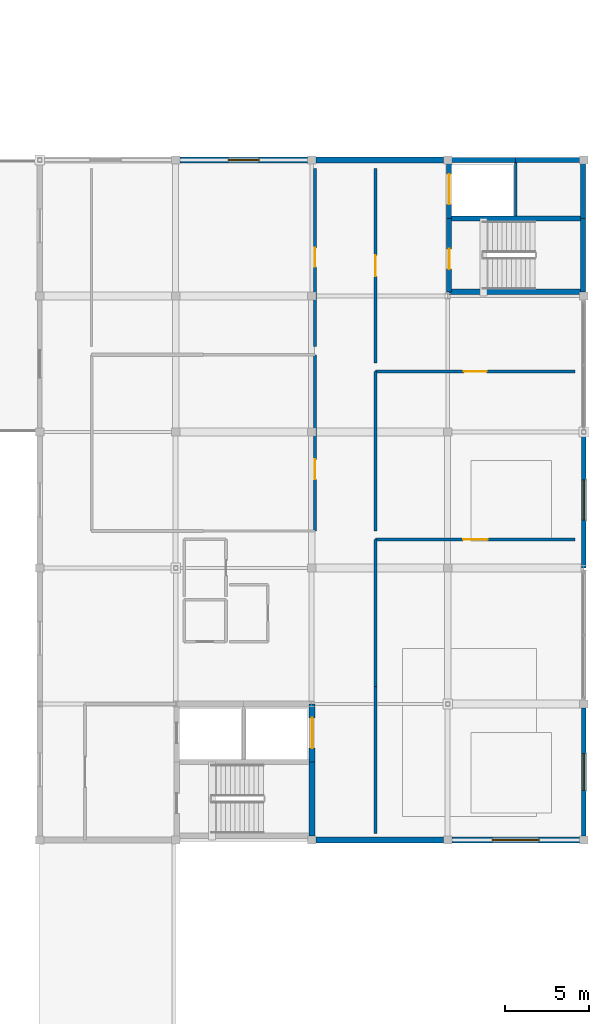
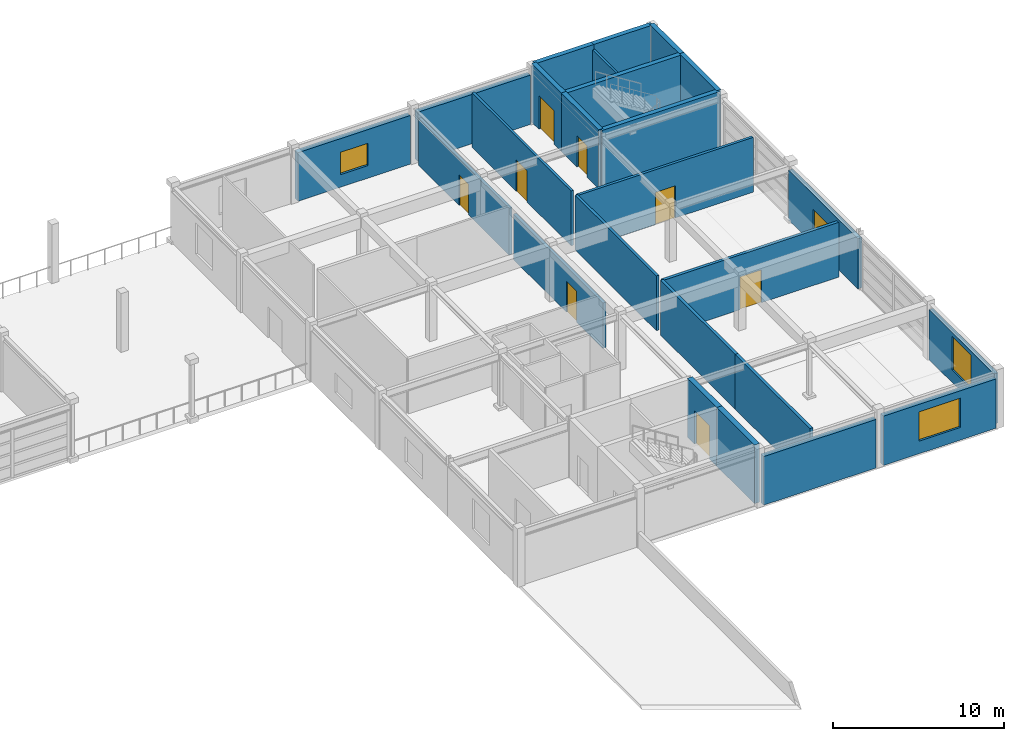
# One storey, part 45 of 54: 25 walls, 8 doors, 4 windows, 12 openings.
"""IFC4 building model written with IfcOpenShell, lengths in metres."""

import ifcopenshell
import ifcopenshell.guid

model = None  # the IFC model being written
_history = None  # IfcOwnerHistory: only IFC2X3 demands one
_inside = {}  # id of a spatial element -> (the spatial element, [elements in it])
_under = {}  # id of a project, library or spatial element -> (it, [spatial elements below it])
_declared = {}  # id of a project -> (the project, [libraries it declares])
_typed = {}  # id of a type object -> (the type object, [elements of that type])
_made_of = {}  # id of a material, layer set ... -> (it, [elements and type objects made of it])


def new_model(schema):
    """Start an empty IFC model of exactly this schema.

    Asked for "IFC4X3", IfcOpenShell would pick the latest addendum, in which some entities
    have other attributes; the version numbers below select the first issue.
    IFC2X3 requires an IfcOwnerHistory on every rooted entity: one is made here for all.
    """
    global model, _history
    if schema == "IFC4X3":
        model = ifcopenshell.file(schema_version=(4, 3, 0, 0))
    else:
        model = ifcopenshell.file(schema=schema)
    _inside.clear()
    _under.clear()
    _declared.clear()
    _typed.clear()
    _made_of.clear()
    _history = None
    if model.schema == "IFC2X3":
        org = make("IfcOrganization", Name="unknown")
        user = make(
            "IfcPersonAndOrganization",
            ThePerson=make("IfcPerson", FamilyName="unknown"),
            TheOrganization=org,
        )
        app = make(
            "IfcApplication",
            ApplicationDeveloper=org,
            Version="unknown",
            ApplicationFullName="unknown",
            ApplicationIdentifier="unknown",
        )
        _history = make(
            "IfcOwnerHistory",
            OwningUser=user,
            OwningApplication=app,
            ChangeAction="ADDED",
            CreationDate=0,
        )
    return model


def make(cls, **values):
    """One entity of the class cls with the attributes given. An attribute that is None is left unset."""
    return model.create_entity(
        cls, **{name: value for name, value in values.items() if value is not None}
    )


def rooted(cls, **values):
    """An entity with a GlobalId (a new one), such as an element, a storey or a relation."""
    return make(cls, GlobalId=ifcopenshell.guid.new(), OwnerHistory=_history, **values)


def si_unit(unit_type, name, prefix=None):
    """IfcSIUnit, for example si_unit("LENGTHUNIT", "METRE", prefix="MILLI")."""
    return make("IfcSIUnit", UnitType=unit_type, Prefix=prefix, Name=name)


def assignment(units):
    """IfcUnitAssignment: the units of a project."""
    return None if units is None else make("IfcUnitAssignment", Units=units)


def point(xyz):
    """IfcCartesianPoint."""
    return None if xyz is None else make("IfcCartesianPoint", Coordinates=xyz)


def direction(xyz):
    """IfcDirection."""
    return None if xyz is None else make("IfcDirection", DirectionRatios=xyz)


def frame(location, z_axis=None, x_axis=None):
    """IfcAxis2Placement3D, a coordinate frame: its origin and axes. An axis left out is left unset."""
    return make(
        "IfcAxis2Placement3D",
        Location=point(location),
        Axis=direction(z_axis),
        RefDirection=direction(x_axis),
    )


def frame_2d(location, x_axis=None):
    """IfcAxis2Placement2D, a coordinate frame in the plane: its origin and x axis."""
    return make(
        "IfcAxis2Placement2D", Location=point(location), RefDirection=direction(x_axis)
    )


def origin():
    """The frame at (0, 0, 0) with its axes left unset."""
    return frame((0.0, 0.0, 0.0))


def place(relative_to, where):
    """IfcLocalPlacement: puts the frame where relative to a parent placement (None: the world)."""
    return make(
        "IfcLocalPlacement", PlacementRelTo=relative_to, RelativePlacement=where
    )


def context(
    kind, dimensions, precision=None, world=None, true_north=None, identifier=None
):
    """IfcGeometricRepresentationContext, for example the 3D "Model" context."""
    return make(
        "IfcGeometricRepresentationContext",
        ContextIdentifier=identifier,
        ContextType=kind,
        CoordinateSpaceDimension=dimensions,
        Precision=precision,
        WorldCoordinateSystem=world,
        TrueNorth=true_north,
    )


def subcontext(parent, identifier, kind, view, scale=None):
    """IfcGeometricRepresentationSubContext, for example "Body" below "Model"."""
    return make(
        "IfcGeometricRepresentationSubContext",
        ContextIdentifier=identifier,
        ContextType=kind,
        ParentContext=parent,
        TargetScale=scale,
        TargetView=view,
    )


def project(units=None, contexts=None):
    """IfcProject with its units and contexts."""
    return rooted(
        "IfcProject",
        Name="project",
        RepresentationContexts=contexts,
        UnitsInContext=assignment(units),
    )


def spatial(cls, under=None, at=None, **own):
    """A site, building, storey or space (cls), placed at a placement, below another one or the project."""
    s = rooted(cls, ObjectPlacement=at, **own)
    if under is not None:
        _under.setdefault(under.id(), (under, []))[1].append(s)
    return s


def profile(cls, at=None, kind="AREA", **sizes):
    """A parametric profile (cls). Its sizes go by their IFC names, for example OverallWidth=200.0."""
    return make(cls, ProfileType=kind, Position=at, **sizes)


def rectangle(**sizes):
    """IfcRectangleProfileDef."""
    return profile("IfcRectangleProfileDef", **sizes)


def extrude(swept, where, along, depth):
    """IfcExtrudedAreaSolid: the profile swept, set in the frame where, extruded along a direction by depth."""
    return make(
        "IfcExtrudedAreaSolid",
        SweptArea=swept,
        Position=where,
        ExtrudedDirection=direction(along),
        Depth=depth,
    )


def shape(context_of_items, identifier, shape_type, items):
    """IfcShapeRepresentation: the items that make up one representation, for example the "Body"."""
    return make(
        "IfcShapeRepresentation",
        ContextOfItems=context_of_items,
        RepresentationIdentifier=identifier,
        RepresentationType=shape_type,
        Items=items,
    )


def material(Name=None, Category=None):
    """IfcMaterial."""
    return make("IfcMaterial", Name=Name, Category=Category)


def layer(
    of_material, thickness, ventilated=None, Name=None, Category=None, Priority=None
):
    """IfcMaterialLayer: one layer of a wall or slab, of a material (None: an air gap)."""
    return make(
        "IfcMaterialLayer",
        Material=of_material,
        LayerThickness=thickness,
        IsVentilated=ventilated,
        Name=Name,
        Category=Category,
        Priority=Priority,
    )


def layer_set(layers, Name=None):
    """IfcMaterialLayerSet."""
    return make("IfcMaterialLayerSet", MaterialLayers=layers, LayerSetName=Name)


def made_of(thing, what):
    """Note that an element or type object is made of a material, layer set ...; save() writes the relation."""
    if what is not None:
        _made_of.setdefault(what.id(), (what, []))[1].append(thing)
    return thing


def type_object(cls, material=None, **own):
    """A type object (cls), such as IfcWallType, which elements share."""
    return made_of(rooted(cls, **own), material)


def element(
    cls,
    number,
    at=None,
    inside=None,
    cuts=None,
    type_object=None,
    material=None,
    context=None,
    identifier="Body",
    shape_type=None,
    held_by="IfcProductDefinitionShape",
    body=None,
    shapes=None,
    **own,
):
    """One element of the class cls, such as IfcWall. Its Tag is "e" and its number.

    at: its placement. inside: the storey or other place that contains it. cuts: it is an
    opening in that element (IfcRelVoidsElement). A single representation is given by context,
    identifier, shape_type and body (its items); several are given by shapes. held_by: the class
    of the entity that holds the representations. save() writes the other relations.
    """
    e = rooted(cls, Tag="e%d" % number, ObjectPlacement=at, **own)
    if body is not None:
        shapes = [shape(context, identifier, shape_type, body)]
    if shapes is not None:
        e.Representation = make(held_by, Representations=shapes)
    if inside is not None:
        _inside.setdefault(inside.id(), (inside, []))[1].append(e)
    if cuts is not None:
        rooted(
            "IfcRelVoidsElement", RelatingBuildingElement=cuts, RelatedOpeningElement=e
        )
    if type_object is not None:
        _typed.setdefault(type_object.id(), (type_object, []))[1].append(e)
    return made_of(e, material)


def fill(opening, filler):
    """IfcRelFillsElement: the door or window that sits in an opening."""
    return rooted(
        "IfcRelFillsElement",
        RelatingOpeningElement=opening,
        RelatedBuildingElement=filler,
    )


def aggregate(whole, parts):
    """IfcRelAggregates: a whole, such as a stair, and the parts it consists of."""
    return rooted("IfcRelAggregates", RelatingObject=whole, RelatedObjects=parts)


def save(model, path):
    """Write the relations noted so far, then the file.

    IfcRelAggregates (storeys below a building ...), IfcRelContainedInSpatialStructure (elements
    in a storey), IfcRelDefinesByType, IfcRelAssociatesMaterial and IfcRelDeclares: one each for
    every whole, place, type object, material and project.
    """
    for whole, parts in _under.values():
        aggregate(whole, parts)
    for where, things in _inside.values():
        rooted(
            "IfcRelContainedInSpatialStructure",
            RelatedElements=things,
            RelatingStructure=where,
        )
    for kind, things in _typed.values():
        rooted("IfcRelDefinesByType", RelatedObjects=things, RelatingType=kind)
    for what, things in _made_of.values():
        rooted("IfcRelAssociatesMaterial", RelatedObjects=things, RelatingMaterial=what)
    for by, libraries in _declared.values():
        rooted("IfcRelDeclares", RelatingContext=by, RelatedDefinitions=libraries)
    model.write(path)


model = new_model("IFC4")

# Units and contexts
model_context = context("Model", 3, precision=1e-05, world=origin(), true_north=direction((0.0, 1.0)))
body_context = subcontext(model_context, "Body", "Model", "MODEL_VIEW")
ifc_project = project(units=[si_unit("LENGTHUNIT", "METRE"), si_unit("AREAUNIT", "SQUARE_METRE"), si_unit("VOLUMEUNIT", "CUBIC_METRE"), si_unit("PLANEANGLEUNIT", "RADIAN"), si_unit("MASSUNIT", "GRAM", prefix="KILO")], contexts=[model_context])

# Site, building, storey
site_placement = place(None, origin())
site = spatial("IfcSite", under=ifc_project, at=site_placement, CompositionType="ELEMENT")
building_placement = place(site_placement, origin())
building = spatial("IfcBuilding", under=site, at=building_placement, Name="Parian Resonance Hall", CompositionType="ELEMENT")
storey_placement = place(building_placement, frame((0.0, 0.0, 15.0)))
storey = spatial("IfcBuildingStorey", under=building, at=storey_placement, Name="L03", CompositionType="ELEMENT", Elevation=15.0)

# Wall, opening, door
ifc_material_1 = material(Name="Concrete C40/50", Category="concrete")
ifc_layer_1 = layer(ifc_material_1, 0.31005859375)
ifc_layer_set_1 = layer_set([ifc_layer_1], Name="Concrete C40/50")
wall_type_1 = type_object("IfcWallType", Name="CW310", PredefinedType="SHEAR", material=ifc_layer_set_1)
wall_1_placement = place(storey_placement, frame((137.7900390625, 81.25, 0.0), z_axis=(0.0, 0.0, 1.0), x_axis=(0.0, 1.0, 0.0)))
wall_1 = element("IfcWall", 1, at=wall_1_placement, inside=storey, type_object=wall_type_1, Name="Core K6 stairwell west shear wall L03", PredefinedType="SHEAR", context=body_context, shape_type="SweptSolid", body=[
    extrude(rectangle(XDim=4.360107421875, YDim=0.31005859375, at=frame_2d((2.18017578125, 0.0))), origin(), (0.0, 0.0, 1.0), 4.199951171875),
])
opening_1_placement = place(wall_1_placement, frame((1.35009765625, 0.0, 0.0)))
opening_1 = element("IfcOpeningElement", 2, at=opening_1_placement, cuts=wall_1, Name="Opening FD-01", PredefinedType="OPENING", context=body_context, shape_type="SweptSolid", body=[
    extrude(rectangle(XDim=1.199951171875, YDim=2.25, at=frame_2d((0.60009765625, 1.125))), frame((0.0, 0.1650390625, 0.0), z_axis=(0.0, -1.0, 0.0), x_axis=(1.0, 0.0, 0.0)), (0.0, 0.0, 1.0), 0.330078125),
])
ifc_material_2 = material(Name="Fire-rated acoustic steel and narra timber door", Category="steel")
door_type_1 = type_object("IfcDoorType", Name="FD-01", OperationType="NOTDEFINED", PredefinedType="DOOR", material=ifc_material_2)
door_1_placement = place(opening_1_placement, origin())
door_1 = element("IfcDoor", 3, at=door_1_placement, inside=storey, type_object=door_type_1, Name="Exit stair ST-06 fire door L03", OperationType="SINGLE_SWING_LEFT", OverallHeight=2.25, OverallWidth=1.199951171875, PredefinedType="DOOR", context=body_context, shape_type="SweptSolid", body=[
    extrude(rectangle(XDim=1.199951171875, YDim=2.25, at=frame_2d((0.60009765625, 1.125))), frame((0.0, 0.02490234375, 0.0), z_axis=(0.0, -1.0, 0.0), x_axis=(1.0, 0.0, 0.0)), (0.0, 0.0, 1.0), 0.050048828125),
])
fill(opening_1, door_1)

wall_2_placement = place(storey_placement, frame((137.7900390625, 85.610107421875, 0.0), z_axis=(0.0, 0.0, 1.0), x_axis=(0.0, 1.0, 0.0)))
wall_2 = element("IfcWall", 4, at=wall_2_placement, inside=storey, type_object=wall_type_1, Name="Core K6 lift shaft west shear wall L03", PredefinedType="SHEAR", context=body_context, shape_type="SweptSolid", body=[
    extrude(rectangle(XDim=3.489990234375, YDim=0.31005859375, at=frame_2d((1.7451171875, 0.0))), origin(), (0.0, 0.0, 1.0), 4.199951171875),
])
opening_2_placement = place(wall_2_placement, frame((0.844970703125, 0.0, 0.0)))
opening_2 = element("IfcOpeningElement", 5, at=opening_2_placement, cuts=wall_2, Name="Opening LD-02", PredefinedType="OPENING", context=body_context, shape_type="SweptSolid", body=[
    extrude(rectangle(XDim=1.800048828125, YDim=2.39990234375, at=frame_2d((0.89990234375, 1.199951171875))), frame((0.0, 0.1650390625, 0.0), z_axis=(0.0, -1.0, 0.0), x_axis=(1.0, 0.0, 0.0)), (0.0, 0.0, 1.0), 0.330078125),
])
ifc_material_3 = material(Name="Stainless steel and bronze elevator cab", Category="steel")
door_type_2 = type_object("IfcDoorType", Name="DOOR-LIFT-1800x2400", OperationType="SLIDING_TO_LEFT", PredefinedType="DOOR", material=ifc_material_3)
door_2_placement = place(opening_2_placement, origin())
door_2 = element("IfcDoor", 6, at=door_2_placement, inside=storey, type_object=door_type_2, Name="Lift LF-08 sliding landing door L03", OperationType="SLIDING_TO_LEFT", OverallHeight=2.39990234375, OverallWidth=1.800048828125, PredefinedType="DOOR", context=body_context, shape_type="SweptSolid", body=[
    extrude(rectangle(XDim=1.800048828125, YDim=2.39990234375, at=frame_2d((0.89990234375, 1.199951171875))), frame((0.0, 0.02490234375, 0.0), z_axis=(0.0, -1.0, 0.0), x_axis=(1.0, 0.0, 0.0)), (0.0, 0.0, 1.0), 0.050048828125),
])
fill(opening_2, door_2)

# Walls
wall_3_placement = place(storey_placement, frame((137.7900390625, 89.10009765625, 0.0), z_axis=(0.0, 0.0, 1.0), x_axis=(1.0, 0.0, 0.0)))
element("IfcWall", 7, at=wall_3_placement, inside=storey, type_object=wall_type_1, Name="Core K6 north-west shaft wall L03", PredefinedType="SHEAR", context=body_context, shape_type="SweptSolid", body=[
    extrude(rectangle(XDim=3.9599609375, YDim=0.31005859375, at=frame_2d((1.97998046875, 0.0))), origin(), (0.0, 0.0, 1.0), 4.199951171875),
])
wall_4_placement = place(storey_placement, frame((141.75, 89.10009765625, 0.0), z_axis=(0.0, 0.0, 1.0), x_axis=(1.0, 0.0, 0.0)))
element("IfcWall", 8, at=wall_4_placement, inside=storey, type_object=wall_type_1, Name="Core K6 north-east shaft wall L03", PredefinedType="SHEAR", context=body_context, shape_type="SweptSolid", body=[
    extrude(rectangle(XDim=4.02001953125, YDim=0.31005859375, at=frame_2d((2.010009765625, 0.0))), origin(), (0.0, 0.0, 1.0), 4.199951171875),
])
wall_5_placement = place(storey_placement, frame((145.77001953125, 89.10009765625, 0.0), z_axis=(0.0, 0.0, 1.0), x_axis=(0.0, -1.0, 0.0)))
element("IfcWall", 9, at=wall_5_placement, inside=storey, type_object=wall_type_1, Name="Core K6 east shaft wall L03", PredefinedType="SHEAR", context=body_context, shape_type="SweptSolid", body=[
    extrude(rectangle(XDim=3.489990234375, YDim=0.31005859375, at=frame_2d((1.7451171875, 0.0))), origin(), (0.0, 0.0, 1.0), 4.199951171875),
])
wall_6_placement = place(storey_placement, frame((145.77001953125, 85.610107421875, 0.0), z_axis=(0.0, 0.0, 1.0), x_axis=(0.0, -1.0, 0.0)))
element("IfcWall", 10, at=wall_6_placement, inside=storey, type_object=wall_type_1, Name="Core K6 stairwell east wall L03", PredefinedType="SHEAR", context=body_context, shape_type="SweptSolid", body=[
    extrude(rectangle(XDim=4.360107421875, YDim=0.31005859375, at=frame_2d((2.18017578125, 0.0))), origin(), (0.0, 0.0, 1.0), 4.199951171875),
])
for number, where, z_axis, x_axis, name in (
    (11, (145.77001953125, 81.25, 0.0), (0.0, 0.0, 1.0), (-1.0, 0.0, 0.0), "Core K6 stairwell south wall L03"),
    (12, (137.7900390625, 85.610107421875, 0.0), (0.0, 0.0, 1.0), (1.0, 0.0, 0.0), "Core K6 stair-lift divider wall L03"),
):
    element("IfcWall", number, at=place(storey_placement, frame(where, z_axis=z_axis, x_axis=x_axis)), inside=storey, type_object=wall_type_1, Name=name, PredefinedType="SHEAR", context=body_context, shape_type="SweptSolid", body=[
        extrude(rectangle(XDim=7.97998046875, YDim=0.31005859375, at=frame_2d((3.989990234375, 0.0))), origin(), (0.0, 0.0, 1.0), 4.199951171875),
    ])

# Wall, opening, door
ifc_material_4 = material(Name="Concrete C40/50", Category="concrete")
ifc_layer_2 = layer(ifc_material_4, 0.35009765625)
ifc_layer_set_2 = layer_set([ifc_layer_2], Name="Concrete C40/50")
wall_type_2 = type_object("IfcWallType", Name="CW350", PredefinedType="SHEAR", material=ifc_layer_set_2)
wall_7_placement = place(storey_placement, frame((129.6298828125, 56.699951171875, 0.0), z_axis=(0.0, 0.0, 1.0), x_axis=(0.0, -1.0, 0.0)))
wall_7 = element("IfcWall", 13, at=wall_7_placement, inside=storey, type_object=wall_type_2, Name="Core K2 east shaft wall L03", PredefinedType="SHEAR", context=body_context, shape_type="SweptSolid", body=[
    extrude(rectangle(XDim=3.449951171875, YDim=0.35009765625, at=frame_2d((1.72509765625, 0.0))), origin(), (0.0, 0.0, 1.0), 4.199951171875),
])
opening_3_placement = place(wall_7_placement, frame((0.824951171875, 0.0, 0.0)))
opening_3 = element("IfcOpeningElement", 14, at=opening_3_placement, cuts=wall_7, Name="Opening LD-02", PredefinedType="OPENING", context=body_context, shape_type="SweptSolid", body=[
    extrude(rectangle(XDim=1.800048828125, YDim=2.39990234375, at=frame_2d((0.89990234375, 1.199951171875))), frame((0.0, 0.18505859375, 0.0), z_axis=(0.0, -1.0, 0.0), x_axis=(1.0, 0.0, 0.0)), (0.0, 0.0, 1.0), 0.3701171875),
])
door_3_placement = place(opening_3_placement, origin())
door_3 = element("IfcDoor", 15, at=door_3_placement, inside=storey, type_object=door_type_2, Name="Lift LF-07 sliding landing door L03", OperationType="SLIDING_TO_LEFT", OverallHeight=2.39990234375, OverallWidth=1.800048828125, PredefinedType="DOOR", context=body_context, shape_type="SweptSolid", body=[
    extrude(rectangle(XDim=1.800048828125, YDim=2.39990234375, at=frame_2d((0.89990234375, 1.199951171875))), frame((0.0, 0.02490234375, 0.0), z_axis=(0.0, -1.0, 0.0), x_axis=(1.0, 0.0, 0.0)), (0.0, 0.0, 1.0), 0.050048828125),
])
fill(opening_3, door_3)

# Walls
wall_8_placement = place(storey_placement, frame((129.6298828125, 53.25, 0.0), z_axis=(0.0, 0.0, 1.0), x_axis=(0.0, -1.0, 0.0)))
element("IfcWall", 16, at=wall_8_placement, inside=storey, type_object=wall_type_2, Name="Core K2 stairwell east wall L03", PredefinedType="SHEAR", context=body_context, shape_type="SweptSolid", body=[
    extrude(rectangle(XDim=4.419921875, YDim=0.35009765625, at=frame_2d((2.2099609375, 0.0))), origin(), (0.0, 0.0, 1.0), 4.199951171875),
])
ifc_material_5 = material(Name="Concrete C35/45 with Carcar coral-limestone ashlar", Category="masonry")
ifc_layer_3 = layer(ifc_material_5, 0.340087890625)
ifc_layer_set_3 = layer_set([ifc_layer_3], Name="Concrete C35/45 with Carcar coral-limestone ashlar")
wall_type_3 = type_object("IfcWallType", Name="EW-STONE-340", PredefinedType="SOLIDWALL", material=ifc_layer_set_3)
wall_9_placement = place(storey_placement, frame((137.449951171875, 89.10009765625, 0.0), z_axis=(0.0, 0.0, 1.0), x_axis=(-1.0, 0.0, 0.0)))
element("IfcWall", 17, at=wall_9_placement, inside=storey, type_object=wall_type_3, Name="Perimeter closure wall L03", PredefinedType="SOLIDWALL", context=body_context, shape_type="SweptSolid", body=[
    extrude(rectangle(XDim=7.599853515625, YDim=0.340087890625, at=frame_2d((3.7998046875, 0.0))), origin(), (0.0, 0.0, 1.0), 3.527099609375),
])

# Wall, opening, window
wall_10_placement = place(storey_placement, frame((129.35009765625, 89.10009765625, 0.0), z_axis=(0.0, 0.0, 1.0), x_axis=(-1.0, 0.0, 0.0)))
wall_10 = element("IfcWall", 18, at=wall_10_placement, inside=storey, type_object=wall_type_3, Name="Perimeter closure wall L03", PredefinedType="SOLIDWALL", context=body_context, shape_type="SweptSolid", body=[
    extrude(rectangle(XDim=7.60009765625, YDim=0.340087890625, at=frame_2d((3.800048828125, 0.0))), origin(), (0.0, 0.0, 1.0), 3.47509765625),
])
opening_4_placement = place(wall_10_placement, frame((2.875, 0.0, 0.89990234375)))
opening_4 = element("IfcOpeningElement", 19, at=opening_4_placement, cuts=wall_10, Name="Opening WN-33", PredefinedType="OPENING", context=body_context, shape_type="SweptSolid", body=[
    extrude(rectangle(XDim=1.85009765625, YDim=1.60009765625, at=frame_2d((0.925048828125, 0.800048828125))), frame((0.0, 0.179931640625, 0.0), z_axis=(0.0, -1.0, 0.0), x_axis=(1.0, 0.0, 0.0)), (0.0, 0.0, 1.0), 0.360107421875),
])
ifc_material_6 = material(Name="Acoustic laminated double glazing", Category="glass")
window_type_1 = type_object("IfcWindowType", Name="WIN-1850x1600", PartitioningType="SINGLE_PANEL", PredefinedType="WINDOW", material=ifc_material_6)
window_1_placement = place(opening_4_placement, origin())
window_1 = element("IfcWindow", 20, at=window_1_placement, inside=storey, type_object=window_type_1, Name="Acoustic window L03-0104", OverallHeight=1.60009765625, OverallWidth=1.85009765625, PartitioningType="SINGLE_PANEL", PredefinedType="WINDOW", context=body_context, shape_type="SweptSolid", body=[
    extrude(rectangle(XDim=1.85009765625, YDim=1.60009765625, at=frame_2d((0.925048828125, 0.800048828125))), frame((0.0, 0.030029296875, 0.0), z_axis=(0.0, -1.0, 0.0), x_axis=(1.0, 0.0, 0.0)), (0.0, 0.0, 1.0), 0.06005859375),
])
fill(opening_4, window_1)

# Wall
wall_11_placement = place(storey_placement, frame((129.85009765625, 48.60009765625, 0.0), z_axis=(0.0, 0.0, 1.0), x_axis=(1.0, 0.0, 0.0)))
element("IfcWall", 21, at=wall_11_placement, inside=storey, type_object=wall_type_3, Name="Perimeter closure wall L03", PredefinedType="SOLIDWALL", context=body_context, shape_type="SweptSolid", body=[
    extrude(rectangle(XDim=7.599853515625, YDim=0.340087890625, at=frame_2d((3.7998046875, 0.0))), origin(), (0.0, 0.0, 1.0), 3.47509765625),
])

# Wall, opening, window
wall_12_placement = place(storey_placement, frame((137.949951171875, 48.60009765625, 0.0), z_axis=(0.0, 0.0, 1.0), x_axis=(1.0, 0.0, 0.0)))
wall_12 = element("IfcWall", 22, at=wall_12_placement, inside=storey, type_object=wall_type_3, Name="Perimeter closure wall L03", PredefinedType="SOLIDWALL", context=body_context, shape_type="SweptSolid", body=[
    extrude(rectangle(XDim=7.60009765625, YDim=0.340087890625, at=frame_2d((3.800048828125, 0.0))), origin(), (0.0, 0.0, 1.0), 3.527099609375),
])
opening_5_placement = place(wall_12_placement, frame((2.39990234375, 0.0, 0.89990234375)))
opening_5 = element("IfcOpeningElement", 23, at=opening_5_placement, cuts=wall_12, Name="Opening WN-47", PredefinedType="OPENING", context=body_context, shape_type="SweptSolid", body=[
    extrude(rectangle(XDim=2.800048828125, YDim=2.10009765625, at=frame_2d((1.39990234375, 1.050048828125))), frame((0.0, 0.179931640625, 0.0), z_axis=(0.0, -1.0, 0.0), x_axis=(1.0, 0.0, 0.0)), (0.0, 0.0, 1.0), 0.360107421875),
])
ifc_material_7 = material(Name="Acoustic laminated double glazing", Category="glass")
window_type_2 = type_object("IfcWindowType", Name="WIN-2800x2100", PartitioningType="SINGLE_PANEL", PredefinedType="WINDOW", material=ifc_material_7)
window_2_placement = place(opening_5_placement, origin())
window_2 = element("IfcWindow", 24, at=window_2_placement, inside=storey, type_object=window_type_2, Name="Acoustic window L03-0110", OverallHeight=2.10009765625, OverallWidth=2.800048828125, PartitioningType="SINGLE_PANEL", PredefinedType="WINDOW", context=body_context, shape_type="SweptSolid", body=[
    extrude(rectangle(XDim=2.800048828125, YDim=2.10009765625, at=frame_2d((1.39990234375, 1.050048828125))), frame((0.0, 0.030029296875, 0.0), z_axis=(0.0, -1.0, 0.0), x_axis=(1.0, 0.0, 0.0)), (0.0, 0.0, 1.0), 0.06005859375),
])
fill(opening_5, window_2)

ifc_material_8 = material(Name="Concrete C35/45 with Carcar coral-limestone ashlar", Category="masonry")
ifc_layer_4 = layer(ifc_material_8, 0.27001953125)
ifc_layer_set_4 = layer_set([ifc_layer_4], Name="Concrete C35/45 with Carcar coral-limestone ashlar")
wall_type_4 = type_object("IfcWallType", Name="EW-STUDIO-270", PredefinedType="SOLIDWALL", material=ifc_layer_set_4)
wall_13_placement = place(storey_placement, frame((145.800048828125, 56.449951171875, 0.0), z_axis=(0.0, 0.0, 1.0), x_axis=(0.0, -1.0, 0.0)))
wall_13 = element("IfcWall", 25, at=wall_13_placement, inside=storey, type_object=wall_type_4, Name="Exterior wall EW-L03-0180", PredefinedType="SOLIDWALL", context=body_context, shape_type="SweptSolid", body=[
    extrude(rectangle(XDim=7.599853515625, YDim=0.27001953125, at=frame_2d((3.7998046875, 0.0))), origin(), (0.0, 0.0, 1.0), 3.5869140625),
])
opening_6_placement = place(wall_13_placement, frame((2.699951171875, 0.0, 0.89990234375)))
opening_6 = element("IfcOpeningElement", 26, at=opening_6_placement, cuts=wall_13, Name="Opening WN-41", PredefinedType="OPENING", context=body_context, shape_type="SweptSolid", body=[
    extrude(rectangle(XDim=2.199951171875, YDim=2.39990234375, at=frame_2d((1.10009765625, 1.199951171875))), frame((0.0, 0.14501953125, 0.0), z_axis=(0.0, -1.0, 0.0), x_axis=(1.0, 0.0, 0.0)), (0.0, 0.0, 1.0), 0.2900390625),
])
ifc_material_9 = material(Name="Acoustic laminated double glazing", Category="glass")
window_type_3 = type_object("IfcWindowType", Name="WIN-2200x2400", PartitioningType="SINGLE_PANEL", PredefinedType="WINDOW", material=ifc_material_9)
window_3_placement = place(opening_6_placement, origin())
window_3 = element("IfcWindow", 27, at=window_3_placement, inside=storey, type_object=window_type_3, Name="Acoustic window L03-0036", OverallHeight=2.39990234375, OverallWidth=2.199951171875, PartitioningType="SINGLE_PANEL", PredefinedType="WINDOW", context=body_context, shape_type="SweptSolid", body=[
    extrude(rectangle(XDim=2.199951171875, YDim=2.39990234375, at=frame_2d((1.10009765625, 1.199951171875))), frame((0.0, 0.030029296875, 0.0), z_axis=(0.0, -1.0, 0.0), x_axis=(1.0, 0.0, 0.0)), (0.0, 0.0, 1.0), 0.06005859375),
])
fill(opening_6, window_3)

wall_14_placement = place(storey_placement, frame((145.800048828125, 72.89990234375, 0.0), z_axis=(0.0, 0.0, 1.0), x_axis=(0.0, -1.0, 0.0)))
wall_14 = element("IfcWall", 28, at=wall_14_placement, inside=storey, type_object=wall_type_4, Name="Exterior wall EW-L03-0181", PredefinedType="SOLIDWALL", context=body_context, shape_type="SweptSolid", body=[
    extrude(rectangle(XDim=8.099853515625, YDim=0.27001953125, at=frame_2d((4.0498046875, 0.0))), origin(), (0.0, 0.0, 1.0), 3.5869140625),
])
opening_7_placement = place(wall_14_placement, frame((2.85009765625, 0.0, 0.89990234375)))
opening_7 = element("IfcOpeningElement", 29, at=opening_7_placement, cuts=wall_14, Name="Opening WN-42", PredefinedType="OPENING", context=body_context, shape_type="SweptSolid", body=[
    extrude(rectangle(XDim=2.39990234375, YDim=1.60009765625, at=frame_2d((1.199951171875, 0.800048828125))), frame((0.0, 0.14501953125, 0.0), z_axis=(0.0, -1.0, 0.0), x_axis=(1.0, 0.0, 0.0)), (0.0, 0.0, 1.0), 0.2900390625),
])
ifc_material_10 = material(Name="Acoustic laminated double glazing", Category="glass")
window_type_4 = type_object("IfcWindowType", Name="WIN-2400x1600", PartitioningType="SINGLE_PANEL", PredefinedType="WINDOW", material=ifc_material_10)
window_4_placement = place(opening_7_placement, origin())
window_4 = element("IfcWindow", 30, at=window_4_placement, inside=storey, type_object=window_type_4, Name="Acoustic window L03-0037", OverallHeight=1.60009765625, OverallWidth=2.39990234375, PartitioningType="SINGLE_PANEL", PredefinedType="WINDOW", context=body_context, shape_type="SweptSolid", body=[
    extrude(rectangle(XDim=2.39990234375, YDim=1.60009765625, at=frame_2d((1.199951171875, 0.800048828125))), frame((0.0, 0.030029296875, 0.0), z_axis=(0.0, -1.0, 0.0), x_axis=(1.0, 0.0, 0.0)), (0.0, 0.0, 1.0), 0.06005859375),
])
fill(opening_7, window_4)

# Walls
ifc_material_11 = material(Name="Concrete C35/45 fire barrier", Category="concrete")
ifc_layer_5 = layer(ifc_material_11, 0.199951171875)
ifc_layer_set_5 = layer_set([ifc_layer_5], Name="Concrete C35/45 fire barrier")
wall_type_5 = type_object("IfcWallType", Name="FW200", PredefinedType="PARTITIONING", material=ifc_layer_set_5)
for number, where, z_axis, x_axis, name in (
    (31, (133.39990234375, 49.0, 0.0), (0.0, 0.0, 1.0), (0.0, 1.0, 0.0), "Interior acoustic partition IW-L03-0232"),
    (32, (133.39990234375, 57.75, 0.0), (0.0, 0.0, 1.0), (0.0, 1.0, 0.0), "Interior acoustic partition IW-L03-0233"),
):
    element("IfcWall", number, at=place(storey_placement, frame(where, z_axis=z_axis, x_axis=x_axis)), inside=storey, type_object=wall_type_5, Name=name, PredefinedType="PARTITIONING", context=body_context, shape_type="SweptSolid", body=[
        extrude(rectangle(XDim=8.75, YDim=0.199951171875, at=frame_2d((4.375, 0.0))), origin(), (0.0, 0.0, 1.0), 3.919921875),
    ])

# Wall, opening, door
wall_15_placement = place(storey_placement, frame((133.39990234375, 66.5, 0.0), z_axis=(0.0, 0.0, 1.0), x_axis=(1.0, 0.0, 0.0)))
wall_15 = element("IfcWall", 33, at=wall_15_placement, inside=storey, type_object=wall_type_5, Name="Interior acoustic partition IW-L03-0234", PredefinedType="PARTITIONING", context=body_context, shape_type="SweptSolid", body=[
    extrude(rectangle(XDim=11.900146484375, YDim=0.199951171875, at=frame_2d((5.9501953125, 0.0))), origin(), (0.0, 0.0, 1.0), 3.919921875),
])
opening_8_placement = place(wall_15_placement, frame((5.22509765625, 0.0, 0.0)))
opening_8 = element("IfcOpeningElement", 34, at=opening_8_placement, cuts=wall_15, Name="Opening ID-08", PredefinedType="OPENING", context=body_context, shape_type="SweptSolid", body=[
    extrude(rectangle(XDim=1.449951171875, YDim=2.35009765625, at=frame_2d((0.72509765625, 1.175048828125))), frame((0.0, 0.10986328125, 0.0), z_axis=(0.0, -1.0, 0.0), x_axis=(1.0, 0.0, 0.0)), (0.0, 0.0, 1.0), 0.219970703125),
])
ifc_material_12 = material(Name="Fire-rated acoustic steel and narra timber door", Category="steel")
door_type_3 = type_object("IfcDoorType", Name="ID-REC-1450x2350", OperationType="NOTDEFINED", PredefinedType="DOOR", material=ifc_material_12)
door_4_placement = place(opening_8_placement, origin())
door_4 = element("IfcDoor", 35, at=door_4_placement, inside=storey, type_object=door_type_3, Name="Choir Rehearsal Room door", OperationType="SINGLE_SWING_LEFT", OverallHeight=2.35009765625, OverallWidth=1.449951171875, PredefinedType="DOOR", context=body_context, shape_type="SweptSolid", body=[
    extrude(rectangle(XDim=1.449951171875, YDim=2.35009765625, at=frame_2d((0.72509765625, 1.175048828125))), frame((0.0, 0.02490234375, 0.0), z_axis=(0.0, -1.0, 0.0), x_axis=(1.0, 0.0, 0.0)), (0.0, 0.0, 1.0), 0.050048828125),
])
fill(opening_8, door_4)

wall_16_placement = place(storey_placement, frame((129.800048828125, 77.5, 0.0), z_axis=(0.0, 0.0, 1.0), x_axis=(0.0, -1.0, 0.0)))
wall_16 = element("IfcWall", 36, at=wall_16_placement, inside=storey, type_object=wall_type_5, Name="Interior acoustic partition IW-L03-0238", PredefinedType="PARTITIONING", context=body_context, shape_type="SweptSolid", body=[
    extrude(rectangle(XDim=10.5, YDim=0.199951171875, at=frame_2d((5.25, 0.0))), origin(), (0.0, 0.0, 1.0), 3.243896484375),
])
opening_9_placement = place(wall_16_placement, frame((6.235107421875, 0.0, 0.0)))
opening_9 = element("IfcOpeningElement", 37, at=opening_9_placement, cuts=wall_16, Name="Opening ID-11", PredefinedType="OPENING", context=body_context, shape_type="SweptSolid", body=[
    extrude(rectangle(XDim=1.179931640625, YDim=2.219970703125, at=frame_2d((0.58984375, 1.10986328125))), frame((0.0, 0.10986328125, 0.0), z_axis=(0.0, -1.0, 0.0), x_axis=(1.0, 0.0, 0.0)), (0.0, 0.0, 1.0), 0.219970703125),
])
ifc_material_13 = material(Name="Philippine narra acoustic timber door", Category="wood")
door_type_4 = type_object("IfcDoorType", Name="ID-STU-1180x2220", OperationType="NOTDEFINED", PredefinedType="DOOR", material=ifc_material_13)
door_5_placement = place(opening_9_placement, origin())
door_5 = element("IfcDoor", 38, at=door_5_placement, inside=storey, type_object=door_type_4, Name="Individual Practice Studio 01 door", OperationType="SINGLE_SWING_RIGHT", OverallHeight=2.219970703125, OverallWidth=1.179931640625, PredefinedType="DOOR", context=body_context, shape_type="SweptSolid", body=[
    extrude(rectangle(XDim=1.179931640625, YDim=2.219970703125, at=frame_2d((0.58984375, 1.10986328125))), frame((0.0, 0.02490234375, 0.0), z_axis=(0.0, -1.0, 0.0), x_axis=(1.0, 0.0, 0.0)), (0.0, 0.0, 1.0), 0.050048828125),
])
fill(opening_9, door_5)

wall_17_placement = place(storey_placement, frame((129.800048828125, 88.60009765625, 0.0), z_axis=(0.0, 0.0, 1.0), x_axis=(0.0, -1.0, 0.0)))
wall_17 = element("IfcWall", 39, at=wall_17_placement, inside=storey, type_object=wall_type_5, Name="Interior acoustic partition IW-L03-0244", PredefinedType="PARTITIONING", context=body_context, shape_type="SweptSolid", body=[
    extrude(rectangle(XDim=10.60009765625, YDim=0.199951171875, at=frame_2d((5.300048828125, 0.0))), origin(), (0.0, 0.0, 1.0), 3.343994140625),
])
opening_10_placement = place(wall_17_placement, frame((4.739990234375, 0.0, 0.0)))
opening_10 = element("IfcOpeningElement", 40, at=opening_10_placement, cuts=wall_17, Name="Opening ID-12", PredefinedType="OPENING", context=body_context, shape_type="SweptSolid", body=[
    extrude(rectangle(XDim=1.1201171875, YDim=2.179931640625, at=frame_2d((0.56005859375, 1.08984375))), frame((0.0, 0.10986328125, 0.0), z_axis=(0.0, -1.0, 0.0), x_axis=(1.0, 0.0, 0.0)), (0.0, 0.0, 1.0), 0.219970703125),
])
ifc_material_14 = material(Name="Philippine narra acoustic timber door", Category="wood")
door_type_5 = type_object("IfcDoorType", Name="ID-STU-1120x2180", OperationType="NOTDEFINED", PredefinedType="DOOR", material=ifc_material_14)
door_6_placement = place(opening_10_placement, origin())
door_6 = element("IfcDoor", 41, at=door_6_placement, inside=storey, type_object=door_type_5, Name="String Quartet Coaching Studio door", OperationType="SINGLE_SWING_LEFT", OverallHeight=2.179931640625, OverallWidth=1.1201171875, PredefinedType="DOOR", context=body_context, shape_type="SweptSolid", body=[
    extrude(rectangle(XDim=1.1201171875, YDim=2.179931640625, at=frame_2d((0.56005859375, 1.08984375))), frame((0.0, 0.02490234375, 0.0), z_axis=(0.0, -1.0, 0.0), x_axis=(1.0, 0.0, 0.0)), (0.0, 0.0, 1.0), 0.050048828125),
])
fill(opening_10, door_6)

# Wall
ifc_material_15 = material(Name="Concrete C35/45 acoustic plumbing chase wall", Category="concrete")
ifc_layer_6 = layer(ifc_material_15, 0.14990234375)
ifc_layer_set_6 = layer_set([ifc_layer_6], Name="Concrete C35/45 acoustic plumbing chase wall")
wall_type_6 = type_object("IfcWallType", Name="PW150", PredefinedType="PLUMBINGWALL", material=ifc_layer_set_6)
wall_18_placement = place(storey_placement, frame((141.75, 85.77001953125, 0.0), z_axis=(0.0, 0.0, 1.0), x_axis=(0.0, 1.0, 0.0)))
element("IfcWall", 42, at=wall_18_placement, inside=storey, type_object=wall_type_6, Name="Core K6 shaft plumbing/riser divider L03", PredefinedType="PLUMBINGWALL", context=body_context, shape_type="SweptSolid", body=[
    extrude(rectangle(XDim=3.169921875, YDim=0.14990234375, at=frame_2d((1.5849609375, 0.0))), origin(), (0.0, 0.0, 1.0), 3.85009765625),
])

# Wall, opening, door
ifc_material_16 = material(Name="Concrete C35/45 acoustic masonry partition", Category="masonry")
ifc_layer_7 = layer(ifc_material_16, 0.159912109375)
ifc_layer_set_7 = layer_set([ifc_layer_7], Name="Concrete C35/45 acoustic masonry partition")
wall_type_7 = type_object("IfcWallType", Name="PW160", PredefinedType="PARTITIONING", material=ifc_layer_set_7)
wall_19_placement = place(storey_placement, frame((133.39990234375, 77.0, 0.0), z_axis=(0.0, 0.0, 1.0), x_axis=(0.0, 1.0, 0.0)))
wall_19 = element("IfcWall", 43, at=wall_19_placement, inside=storey, type_object=wall_type_7, Name="Interior acoustic partition IW-L03-0237", PredefinedType="PARTITIONING", context=body_context, shape_type="SweptSolid", body=[
    extrude(rectangle(XDim=11.60009765625, YDim=0.159912109375, at=frame_2d((5.800048828125, 0.0))), origin(), (0.0, 0.0, 1.0), 3.919921875),
])
opening_11_placement = place(wall_19_placement, frame((5.175048828125, 0.0, 0.0)))
opening_11 = element("IfcOpeningElement", 44, at=opening_11_placement, cuts=wall_19, Name="Opening ID-10", PredefinedType="OPENING", context=body_context, shape_type="SweptSolid", body=[
    extrude(rectangle(XDim=1.25, YDim=2.25, at=frame_2d((0.625, 1.125))), frame((0.0, 0.08984375, 0.0), z_axis=(0.0, -1.0, 0.0), x_axis=(1.0, 0.0, 0.0)), (0.0, 0.0, 1.0), 0.179931640625),
])
ifc_material_17 = material(Name="Fire-rated acoustic steel and narra timber door", Category="steel")
door_type_6 = type_object("IfcDoorType", Name="ID-STU-1250x2250", OperationType="NOTDEFINED", PredefinedType="DOOR", material=ifc_material_17)
door_7_placement = place(opening_11_placement, origin())
door_7 = element("IfcDoor", 45, at=door_7_placement, inside=storey, type_object=door_type_6, Name="Piano Practice Studio 01 door", OperationType="SINGLE_SWING_LEFT", OverallHeight=2.25, OverallWidth=1.25, PredefinedType="DOOR", context=body_context, shape_type="SweptSolid", body=[
    extrude(rectangle(XDim=1.25, YDim=2.25, at=frame_2d((0.625, 1.125))), frame((0.0, 0.02490234375, 0.0), z_axis=(0.0, -1.0, 0.0), x_axis=(1.0, 0.0, 0.0)), (0.0, 0.0, 1.0), 0.050048828125),
])
fill(opening_11, door_7)

# Wall
ifc_material_18 = material(Name="Concrete C35/45 acoustic masonry partition", Category="masonry")
ifc_layer_8 = layer(ifc_material_18, 0.179931640625)
ifc_layer_set_8 = layer_set([ifc_layer_8], Name="Concrete C35/45 acoustic masonry partition")
wall_type_8 = type_object("IfcWallType", Name="PW180", PredefinedType="PARTITIONING", material=ifc_layer_set_8)
wall_20_placement = place(storey_placement, frame((133.39990234375, 67.0, 0.0), z_axis=(0.0, 0.0, 1.0), x_axis=(0.0, 1.0, 0.0)))
element("IfcWall", 46, at=wall_20_placement, inside=storey, type_object=wall_type_8, Name="Interior acoustic partition IW-L03-0235", PredefinedType="PARTITIONING", context=body_context, shape_type="SweptSolid", body=[
    extrude(rectangle(XDim=9.5, YDim=0.179931640625, at=frame_2d((4.75, 0.0))), origin(), (0.0, 0.0, 1.0), 3.919921875),
])

# Wall, opening, door
wall_21_placement = place(storey_placement, frame((133.39990234375, 76.5, 0.0), z_axis=(0.0, 0.0, 1.0), x_axis=(1.0, 0.0, 0.0)))
wall_21 = element("IfcWall", 47, at=wall_21_placement, inside=storey, type_object=wall_type_8, Name="Interior acoustic partition IW-L03-0236", PredefinedType="PARTITIONING", context=body_context, shape_type="SweptSolid", body=[
    extrude(rectangle(XDim=11.900146484375, YDim=0.179931640625, at=frame_2d((5.9501953125, 0.0))), origin(), (0.0, 0.0, 1.0), 3.919921875),
])
opening_12_placement = place(wall_21_placement, frame((5.27490234375, 0.0, 0.0)))
opening_12 = element("IfcOpeningElement", 48, at=opening_12_placement, cuts=wall_21, Name="Opening ID-09", PredefinedType="OPENING", context=body_context, shape_type="SweptSolid", body=[
    extrude(rectangle(XDim=1.35009765625, YDim=2.300048828125, at=frame_2d((0.675048828125, 1.14990234375))), frame((0.0, 0.099853515625, 0.0), z_axis=(0.0, -1.0, 0.0), x_axis=(1.0, 0.0, 0.0)), (0.0, 0.0, 1.0), 0.199951171875),
])
ifc_material_19 = material(Name="Fire-rated acoustic steel and narra timber door", Category="steel")
door_type_7 = type_object("IfcDoorType", Name="ID-STU-1350x2300", OperationType="NOTDEFINED", PredefinedType="DOOR", material=ifc_material_19)
door_8_placement = place(opening_12_placement, origin())
door_8 = element("IfcDoor", 49, at=door_8_placement, inside=storey, type_object=door_type_7, Name="Choral Library and Robe Room door", OperationType="SINGLE_SWING_RIGHT", OverallHeight=2.300048828125, OverallWidth=1.35009765625, PredefinedType="DOOR", context=body_context, shape_type="SweptSolid", body=[
    extrude(rectangle(XDim=1.35009765625, YDim=2.300048828125, at=frame_2d((0.675048828125, 1.14990234375))), frame((0.0, 0.02490234375, 0.0), z_axis=(0.0, -1.0, 0.0), x_axis=(1.0, 0.0, 0.0)), (0.0, 0.0, 1.0), 0.050048828125),
])
fill(opening_12, door_8)

save(model, "model.ifc")
